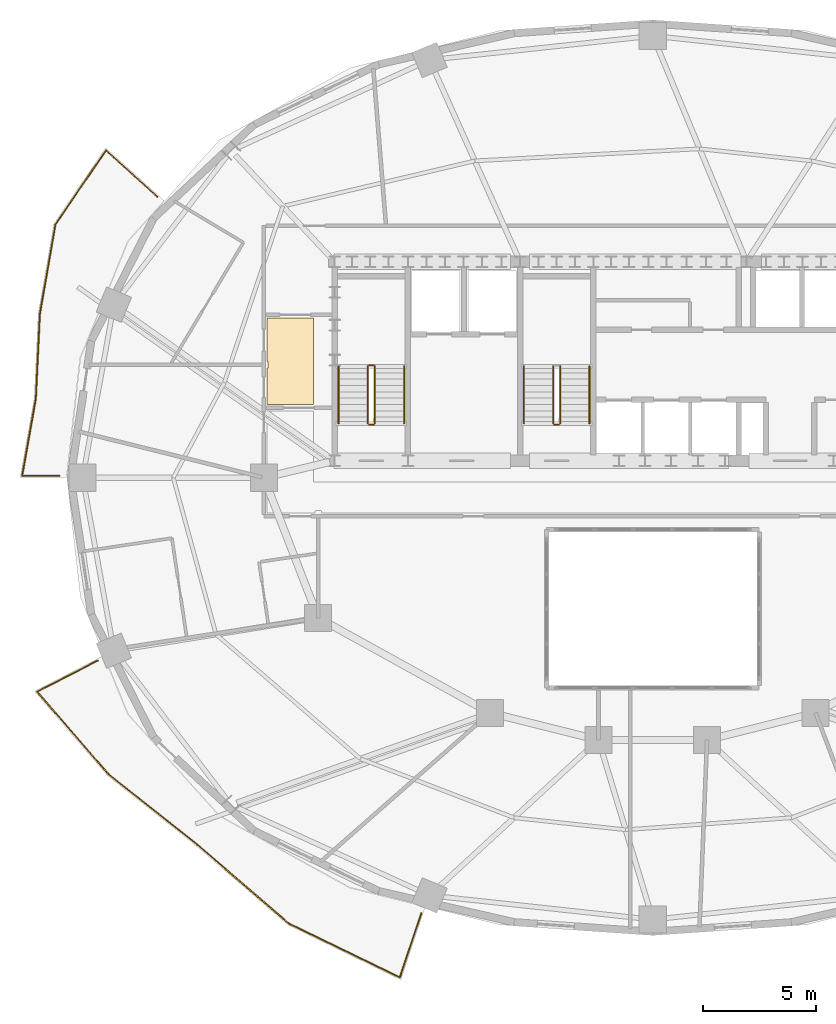
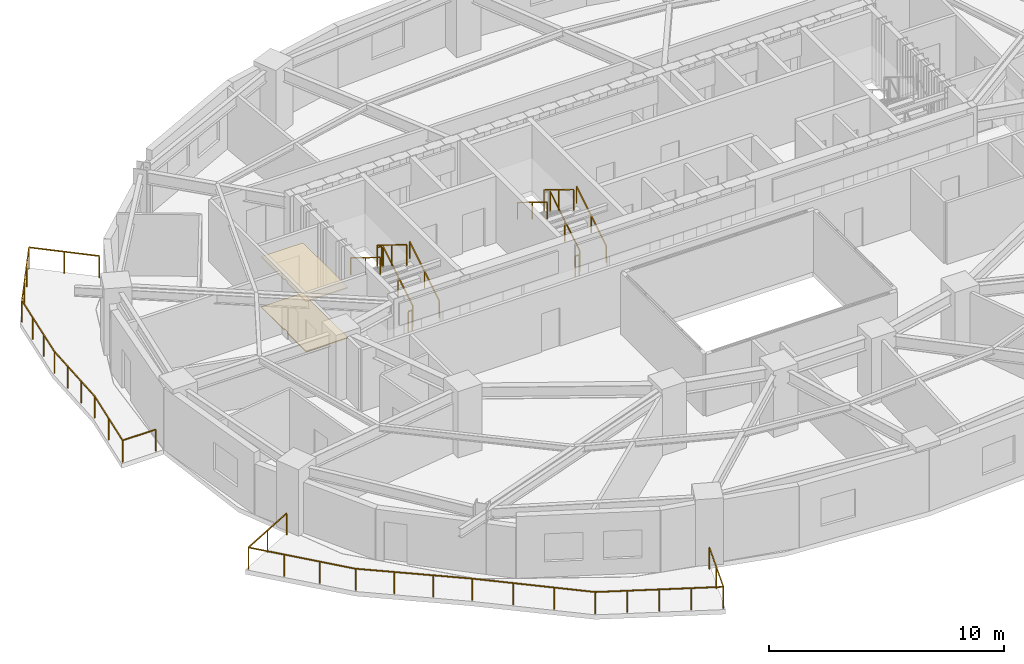
# One storey, part 10 of 12: 13 railings, 2 coverings.
"""IFC4 building model written with IfcOpenShell, lengths in metres."""

from ifc_helpers import new_model, si_unit, direction, frame, origin, origin_2d, place, context, subcontext, project, spatial, polyline, rectangle, outline, extrude, material, layer, layer_set, type_object, element, save


model = new_model("IFC4")

# Units and contexts
model_context = context("Model", 3, precision=1e-05, world=origin(), true_north=direction((0.0, 1.0)))
body_context = subcontext(model_context, "Body", "Model", "MODEL_VIEW")
ifc_project = project(units=[si_unit("LENGTHUNIT", "METRE"), si_unit("AREAUNIT", "SQUARE_METRE"), si_unit("VOLUMEUNIT", "CUBIC_METRE"), si_unit("PLANEANGLEUNIT", "RADIAN"), si_unit("MASSUNIT", "GRAM", prefix="KILO")], contexts=[model_context])

# Site, building, storey
site_placement = place(None, origin())
site = spatial("IfcSite", under=ifc_project, at=site_placement, CompositionType="ELEMENT")
building_placement = place(site_placement, origin())
building = spatial("IfcBuilding", under=site, at=building_placement, Name="Haldorwick Loom Tower", CompositionType="ELEMENT")
storey_placement = place(building_placement, frame((0.0, 0.0, 157.89990234375)))
storey = spatial("IfcBuildingStorey", under=building, at=storey_placement, Name="L42", CompositionType="ELEMENT", Elevation=157.89990234375)

# Coverings
ifc_material_1 = material(Name="Mineral Fibre Acoustic Ceiling Tile")
ifc_layer_1 = layer(ifc_material_1, 0.054931640625, Name="Mineral Fibre Acoustic Ceiling Tile")
ifc_layer_set_1 = layer_set([ifc_layer_1], Name="Mineral Fibre Acoustic Ceiling Tile")
covering_type_1 = type_object("IfcCoveringType", Name="ARC-COV-CEIL2", PredefinedType="CEILING", material=ifc_layer_set_1)
covering_1_placement = place(storey_placement, frame((0.0, 0.0, 2.59521484375)))
element("IfcCovering", 1, at=covering_1_placement, inside=storey, type_object=covering_type_1, Name="L42 Acoustic Suspended Ceiling 2", PredefinedType="CEILING", context=body_context, shape_type="SweptSolid", body=[
    extrude(outline(polyline([(18.969970703125, 31.139892578125), (18.971923828125, 31.139892578125), (18.973876953125, 31.1396484375), (18.975830078125, 31.13916015625), (18.977783203125, 31.138427734375), (18.9794921875, 31.1376953125), (18.981201171875, 31.13671875), (18.982666015625, 31.135498046875), (18.984130859375, 31.134033203125), (18.985595703125, 31.1328125), (18.986572265625, 31.131103515625), (18.987548828125, 31.12939453125), (18.988525390625, 31.127685546875), (18.989013671875, 31.125732421875), (18.989501953125, 31.123779296875), (18.989990234375, 31.1220703125), (18.989990234375, 31.1201171875), (18.989990234375, 30.8798828125), (18.989990234375, 30.8779296875), (18.989501953125, 30.876220703125), (18.989013671875, 30.874267578125), (18.988525390625, 30.872314453125), (18.987548828125, 30.87060546875), (18.986572265625, 30.868896484375), (18.985595703125, 30.8671875), (18.984130859375, 30.865966796875), (18.982666015625, 30.864501953125), (18.981201171875, 30.86328125), (18.9794921875, 30.8623046875), (18.977783203125, 30.861572265625), (18.975830078125, 30.86083984375), (18.973876953125, 30.8603515625), (18.971923828125, 30.860107421875), (18.969970703125, 30.860107421875), (18.93994140625, 30.860107421875), (18.93994140625, 29.239990234375), (21.0, 29.239990234375), (21.0, 33.06005859375), (18.93994140625, 33.06005859375), (18.93994140625, 31.139892578125), (18.969970703125, 31.139892578125)])), origin(), (0.0, 0.0, 1.0), 0.054931640625),
])
ifc_material_2 = material(Name="Polished Aggregate Terrazzo Finish")
ifc_layer_2 = layer(ifc_material_2, 0.044921875, Name="Polished Aggregate Terrazzo Finish")
ifc_layer_set_2 = layer_set([ifc_layer_2], Name="Polished Aggregate Terrazzo Finish")
covering_type_2 = type_object("IfcCoveringType", Name="ARC-COV-FLOOR2", PredefinedType="FLOORING", material=ifc_layer_set_2)
covering_2_placement = place(storey_placement, origin())
element("IfcCovering", 2, at=covering_2_placement, inside=storey, type_object=covering_type_2, Name="L42 Floor Finish 2", PredefinedType="FLOORING", context=body_context, shape_type="SweptSolid", body=[
    extrude(outline(polyline([(18.969970703125, 31.139892578125), (18.971923828125, 31.139892578125), (18.973876953125, 31.1396484375), (18.975830078125, 31.13916015625), (18.977783203125, 31.138427734375), (18.9794921875, 31.1376953125), (18.981201171875, 31.13671875), (18.982666015625, 31.135498046875), (18.984130859375, 31.134033203125), (18.985595703125, 31.1328125), (18.986572265625, 31.131103515625), (18.987548828125, 31.12939453125), (18.988525390625, 31.127685546875), (18.989013671875, 31.125732421875), (18.989501953125, 31.123779296875), (18.989990234375, 31.1220703125), (18.989990234375, 31.1201171875), (18.989990234375, 30.8798828125), (18.989990234375, 30.8779296875), (18.989501953125, 30.876220703125), (18.989013671875, 30.874267578125), (18.988525390625, 30.872314453125), (18.987548828125, 30.87060546875), (18.986572265625, 30.868896484375), (18.985595703125, 30.8671875), (18.984130859375, 30.865966796875), (18.982666015625, 30.864501953125), (18.981201171875, 30.86328125), (18.9794921875, 30.8623046875), (18.977783203125, 30.861572265625), (18.975830078125, 30.86083984375), (18.973876953125, 30.8603515625), (18.971923828125, 30.860107421875), (18.969970703125, 30.860107421875), (18.93994140625, 30.860107421875), (18.93994140625, 29.239990234375), (21.0, 29.239990234375), (21.0, 33.06005859375), (18.93994140625, 33.06005859375), (18.93994140625, 31.139892578125), (18.969970703125, 31.139892578125)])), origin(), (0.0, 0.0, 1.0), 0.045166015625),
])

# Railings
ifc_material_3 = material(Name="Galvanized Steel CSA G40.21 350W", Category="steel")
railing_type_1 = type_object("IfcRailingType", Name="ARC-RLG-BAL115", PredefinedType="BALUSTRADE", material=ifc_material_3)
railing_1_placement = place(storey_placement, frame((25.756591796875, 6.728515625, 0.0)))
element("IfcRailing", 3, at=railing_1_placement, inside=storey, type_object=railing_type_1, Name="L42 Outdoor Terrace Guardrail SLB-L42-BAL_SW-1", PredefinedType="BALUSTRADE", context=body_context, shape_type="SweptSolid", body=[
    extrude(rectangle(XDim=0.048095703125, YDim=0.048095703125, at=origin_2d()), frame((0.0, 0.0, 1.1259765625), z_axis=(-0.316522037821, -0.948585156733, 0.0), x_axis=(0.948585156733, -0.316522037821, 0.0)), (0.0, 0.0, 1.0), 2.986572265625),
    extrude(rectangle(XDim=0.048095703125, YDim=0.048095703125, at=origin_2d()), frame((-0.9453125, -2.8330078125, 1.1259765625), z_axis=(-0.899116897768, 0.43770858359, 0.0), x_axis=(-0.43770858359, -0.899116897768, 0.0)), (0.0, 0.0, 1.0), 5.469970703125),
    extrude(rectangle(XDim=0.048095703125, YDim=0.048095703125, at=origin_2d()), frame((-5.863525390625, -0.438720703125, 1.1259765625), z_axis=(-0.757220744918, 0.653159049134, 0.0), x_axis=(-0.653159049134, -0.757220744918, 0.0)), (0.0, 0.0, 1.0), 5.32568359375),
    extrude(rectangle(XDim=0.048095703125, YDim=0.048095703125, at=origin_2d()), frame((-9.896240234375, 3.039794921875, 1.1259765625), z_axis=(-0.773957299203, 0.633237790257, 0.0), x_axis=(-0.633237790257, -0.773957299203, 0.0)), (0.0, 0.0, 1.0), 0.00341796875),
    extrude(rectangle(XDim=0.048095703125, YDim=0.048095703125, at=origin_2d()), frame((-9.89892578125, 3.0419921875, 1.1259765625), z_axis=(-0.783726636091, 0.621105916798, 0.0), x_axis=(-0.621105916798, -0.783726636091, 0.0)), (0.0, 0.0, 1.0), 5.01123046875),
    extrude(rectangle(XDim=0.048095703125, YDim=0.048095703125, at=origin_2d()), frame((-13.826416015625, 6.154541015625, 1.1259765625), z_axis=(-0.654367841929, 0.756176386466, 0.0), x_axis=(-0.756176386466, -0.654367841929, 0.0)), (0.0, 0.0, 1.0), 4.824951171875),
    extrude(rectangle(XDim=0.048095703125, YDim=0.048095703125, at=origin_2d()), frame((-16.983642578125, 9.802978515625, 1.1259765625), z_axis=(0.888510792564, 0.458855719695, 0.0), x_axis=(-0.458855719695, 0.888510792564, 0.0)), (0.0, 0.0, 1.0), 3.009765625),
    extrude(rectangle(XDim=0.0419921875, YDim=0.0419921875, at=origin_2d()), origin(), (0.0, 0.0, 1.0), 1.101806640625),
    extrude(rectangle(XDim=0.0419921875, YDim=0.0419921875, at=origin_2d()), frame((-0.47265625, -1.41650390625, 0.0)), (0.0, 0.0, 1.0), 1.101806640625),
    extrude(rectangle(XDim=0.0419921875, YDim=0.0419921875, at=origin_2d()), frame((-0.9453125, -2.8330078125, 0.0)), (0.0, 0.0, 1.0), 1.101806640625),
    extrude(rectangle(XDim=0.0419921875, YDim=0.0419921875, at=origin_2d()), frame((-2.1748046875, -2.234375, 0.0)), (0.0, 0.0, 1.0), 1.101806640625),
    extrude(rectangle(XDim=0.0419921875, YDim=0.0419921875, at=origin_2d()), frame((-3.404296875, -1.6357421875, 0.0)), (0.0, 0.0, 1.0), 1.101806640625),
    extrude(rectangle(XDim=0.0419921875, YDim=0.0419921875, at=origin_2d()), frame((-4.634033203125, -1.037353515625, 0.0)), (0.0, 0.0, 1.0), 1.101806640625),
    extrude(rectangle(XDim=0.0419921875, YDim=0.0419921875, at=origin_2d()), frame((-5.863525390625, -0.438720703125, 0.0)), (0.0, 0.0, 1.0), 1.101806640625),
    extrude(rectangle(XDim=0.0419921875, YDim=0.0419921875, at=origin_2d()), frame((-7.207763671875, 0.720703125, 0.0)), (0.0, 0.0, 1.0), 1.101806640625),
    extrude(rectangle(XDim=0.0419921875, YDim=0.0419921875, at=origin_2d()), frame((-8.552001953125, 1.88037109375, 0.0)), (0.0, 0.0, 1.0), 1.101806640625),
    extrude(rectangle(XDim=0.0419921875, YDim=0.0419921875, at=origin_2d()), frame((-9.896240234375, 3.039794921875, 0.0)), (0.0, 0.0, 1.0), 1.101806640625),
    extrude(rectangle(XDim=0.0419921875, YDim=0.0419921875, at=origin_2d()), frame((-11.2080078125, 4.07958984375, 0.0)), (0.0, 0.0, 1.0), 1.101806640625),
    extrude(rectangle(XDim=0.0419921875, YDim=0.0419921875, at=origin_2d()), frame((-12.517333984375, 5.116943359375, 0.0)), (0.0, 0.0, 1.0), 1.101806640625),
    extrude(rectangle(XDim=0.0419921875, YDim=0.0419921875, at=origin_2d()), frame((-13.826416015625, 6.154541015625, 0.0)), (0.0, 0.0, 1.0), 1.101806640625),
    extrude(rectangle(XDim=0.0419921875, YDim=0.0419921875, at=origin_2d()), frame((-14.87890625, 7.37060546875, 0.0)), (0.0, 0.0, 1.0), 1.101806640625),
    extrude(rectangle(XDim=0.0419921875, YDim=0.0419921875, at=origin_2d()), frame((-15.93115234375, 8.5869140625, 0.0)), (0.0, 0.0, 1.0), 1.101806640625),
    extrude(rectangle(XDim=0.0419921875, YDim=0.0419921875, at=origin_2d()), frame((-16.983642578125, 9.802978515625, 0.0)), (0.0, 0.0, 1.0), 1.101806640625),
    extrude(rectangle(XDim=0.0419921875, YDim=0.0419921875, at=origin_2d()), frame((-15.646484375, 10.49365234375, 0.0)), (0.0, 0.0, 1.0), 1.101806640625),
    extrude(rectangle(XDim=0.0419921875, YDim=0.0419921875, at=origin_2d()), frame((-14.309326171875, 11.18408203125, 0.0)), (0.0, 0.0, 1.0), 1.101806640625),
])
railing_2_placement = place(storey_placement, frame((9.73974609375, 26.080078125, 0.0)))
element("IfcRailing", 4, at=railing_2_placement, inside=storey, type_object=railing_type_1, Name="L42 Outdoor Terrace Guardrail SLB-L42-BAL_WNW-1", PredefinedType="BALUSTRADE", context=body_context, shape_type="SweptSolid", body=[
    extrude(rectangle(XDim=0.048095703125, YDim=0.048095703125, at=origin_2d()), frame((0.0, 0.0, 1.1259765625), z_axis=(-1.0, 0.0, 0.0), x_axis=(0.0, -1.0, 0.0)), (0.0, 0.0, 1.0), 1.633056640625),
    extrude(rectangle(XDim=0.048095703125, YDim=0.048095703125, at=origin_2d()), frame((-1.633056640625, 0.0, 1.1259765625), z_axis=(0.174402362104, 0.984674472144, 0.0), x_axis=(-0.984674472144, 0.174402362104, 0.0)), (0.0, 0.0, 1.0), 3.475830078125),
    extrude(rectangle(XDim=0.048095703125, YDim=0.048095703125, at=origin_2d()), frame((-1.02685546875, 3.422607421875, 1.1259765625), z_axis=(0.118212889785, 0.992988274195, 0.0), x_axis=(-0.992988274195, 0.118212889785, 0.0)), (0.0, 0.0, 1.0), 0.01025390625),
    extrude(rectangle(XDim=0.048095703125, YDim=0.048095703125, at=origin_2d()), frame((-1.025634765625, 3.432861328125, 1.1259765625), z_axis=(0.047350743594, 0.998878324463, 0.0), x_axis=(-0.998878324463, 0.047350743594, 0.0)), (0.0, 0.0, 1.0), 3.73291015625),
    extrude(rectangle(XDim=0.048095703125, YDim=0.048095703125, at=origin_2d()), frame((-0.848876953125, 7.16162109375, 1.1259765625), z_axis=(0.171625353709, 0.985162290166, 0.0), x_axis=(-0.985162290166, 0.171625353709, 0.0)), (0.0, 0.0, 1.0), 4.0244140625),
    extrude(rectangle(XDim=0.048095703125, YDim=0.048095703125, at=origin_2d()), frame((-0.158203125, 11.126220703125, 1.1259765625), z_axis=(0.563872418529, 0.825861910747, 0.0), x_axis=(-0.825861910747, 0.563872418529, 0.0)), (0.0, 0.0, 1.0), 3.95947265625),
    extrude(rectangle(XDim=0.048095703125, YDim=0.048095703125, at=origin_2d()), frame((2.074462890625, 14.396240234375, 1.1259765625), z_axis=(0.741530121313, -0.670919577286, 0.0), x_axis=(0.670919577286, 0.741530121313, 0.0)), (0.0, 0.0, 1.0), 3.06689453125),
    extrude(rectangle(XDim=0.0419921875, YDim=0.0419921875, at=origin_2d()), origin(), (0.0, 0.0, 1.0), 1.101806640625),
    extrude(rectangle(XDim=0.0419921875, YDim=0.0419921875, at=origin_2d()), frame((-1.633056640625, 0.0, 0.0)), (0.0, 0.0, 1.0), 1.101806640625),
    extrude(rectangle(XDim=0.0419921875, YDim=0.0419921875, at=origin_2d()), frame((-1.330078125, 1.71142578125, 0.0)), (0.0, 0.0, 1.0), 1.101806640625),
    extrude(rectangle(XDim=0.0419921875, YDim=0.0419921875, at=origin_2d()), frame((-1.02685546875, 3.422607421875, 0.0)), (0.0, 0.0, 1.0), 1.101806640625),
    extrude(rectangle(XDim=0.0419921875, YDim=0.0419921875, at=origin_2d()), frame((-0.966796875, 4.67578125, 0.0)), (0.0, 0.0, 1.0), 1.101806640625),
    extrude(rectangle(XDim=0.0419921875, YDim=0.0419921875, at=origin_2d()), frame((-0.90771484375, 5.918701171875, 0.0)), (0.0, 0.0, 1.0), 1.101806640625),
    extrude(rectangle(XDim=0.0419921875, YDim=0.0419921875, at=origin_2d()), frame((-0.848876953125, 7.16162109375, 0.0)), (0.0, 0.0, 1.0), 1.101806640625),
    extrude(rectangle(XDim=0.0419921875, YDim=0.0419921875, at=origin_2d()), frame((-0.61865234375, 8.483154296875, 0.0)), (0.0, 0.0, 1.0), 1.101806640625),
    extrude(rectangle(XDim=0.0419921875, YDim=0.0419921875, at=origin_2d()), frame((-0.388427734375, 9.8046875, 0.0)), (0.0, 0.0, 1.0), 1.101806640625),
    extrude(rectangle(XDim=0.0419921875, YDim=0.0419921875, at=origin_2d()), frame((-0.158203125, 11.126220703125, 0.0)), (0.0, 0.0, 1.0), 1.101806640625),
    extrude(rectangle(XDim=0.0419921875, YDim=0.0419921875, at=origin_2d()), frame((0.5859375, 12.21630859375, 0.0)), (0.0, 0.0, 1.0), 1.101806640625),
    extrude(rectangle(XDim=0.0419921875, YDim=0.0419921875, at=origin_2d()), frame((1.330322265625, 13.30615234375, 0.0)), (0.0, 0.0, 1.0), 1.101806640625),
    extrude(rectangle(XDim=0.0419921875, YDim=0.0419921875, at=origin_2d()), frame((2.074462890625, 14.396240234375, 0.0)), (0.0, 0.0, 1.0), 1.101806640625),
    extrude(rectangle(XDim=0.0419921875, YDim=0.0419921875, at=origin_2d()), frame((3.21142578125, 13.367431640625, 0.0)), (0.0, 0.0, 1.0), 1.101806640625),
    extrude(rectangle(XDim=0.0419921875, YDim=0.0419921875, at=origin_2d()), frame((4.3486328125, 12.338623046875, 0.0)), (0.0, 0.0, 1.0), 1.101806640625),
])
ifc_material_4 = material(Name="Steel CSA G40.21 350W", Category="steel")
railing_type_2 = type_object("IfcRailingType", Name="ARC-RLG-GUARD112", PredefinedType="GUARDRAIL", material=ifc_material_4)
railing_3_placement = place(storey_placement, frame((23.699951171875, 28.39990234375, 0.172607421875)))
element("IfcRailing", 5, at=railing_3_placement, inside=storey, type_object=railing_type_2, Name="L42 ST-01 stair guard 1", PredefinedType="GUARDRAIL", context=body_context, shape_type="SweptSolid", body=[
    extrude(rectangle(XDim=0.048095703125, YDim=0.048095703125, at=origin_2d()), frame((0.0, 0.0, 1.076171875), z_axis=(0.0, 0.851400495292, 0.524516154772), x_axis=(-1.0, 0.0, 0.0)), (0.0, 0.0, 1.0), 2.9599609375),
    extrude(rectangle(XDim=0.0419921875, YDim=0.0419921875, at=origin_2d()), origin(), (0.0, 0.0, 1.0), 1.052001953125),
    extrude(rectangle(XDim=0.0419921875, YDim=0.0419921875, at=origin_2d()), frame((0.0, 1.260009765625, 0.7763671875)), (0.0, 0.0, 1.0), 1.052001953125),
    extrude(rectangle(XDim=0.0419921875, YDim=0.0419921875, at=origin_2d()), frame((0.0, 2.52001953125, 1.552490234375)), (0.0, 0.0, 1.0), 1.052001953125),
])
railing_4_placement = place(storey_placement, frame((23.64990234375, 30.969970703125, 1.72509765625)))
element("IfcRailing", 6, at=railing_4_placement, inside=storey, type_object=railing_type_2, Name="L42 ST-01 stair guard 2", PredefinedType="GUARDRAIL", context=body_context, shape_type="SweptSolid", body=[
    extrude(rectangle(XDim=0.048095703125, YDim=0.048095703125, at=origin_2d()), frame((0.0, 0.0, 1.076171875), z_axis=(-1.0, 0.0, 0.0), x_axis=(0.0, -1.0, 0.0)), (0.0, 0.0, 1.0), 0.199951171875),
    extrude(rectangle(XDim=0.0419921875, YDim=0.0419921875, at=origin_2d()), origin(), (0.0, 0.0, 1.0), 1.052001953125),
    extrude(rectangle(XDim=0.0419921875, YDim=0.0419921875, at=origin_2d()), frame((-0.199951171875, 0.0, 0.0)), (0.0, 0.0, 1.0), 1.052001953125),
])
railing_5_placement = place(storey_placement, frame((23.39990234375, 30.919921875, 1.897705078125)))
element("IfcRailing", 7, at=railing_5_placement, inside=storey, type_object=railing_type_2, Name="L42 ST-01 stair guard 3", PredefinedType="GUARDRAIL", context=body_context, shape_type="SweptSolid", body=[
    extrude(rectangle(XDim=0.048095703125, YDim=0.048095703125, at=origin_2d()), frame((0.0, 0.0, 1.076171875), z_axis=(0.0, -0.851400495292, 0.524516154772), x_axis=(1.0, 0.0, 0.0)), (0.0, 0.0, 1.0), 2.9599609375),
    extrude(rectangle(XDim=0.0419921875, YDim=0.0419921875, at=origin_2d()), origin(), (0.0, 0.0, 1.0), 1.052001953125),
    extrude(rectangle(XDim=0.0419921875, YDim=0.0419921875, at=origin_2d()), frame((0.0, -1.260009765625, 0.7763671875)), (0.0, 0.0, 1.0), 1.052001953125),
    extrude(rectangle(XDim=0.0419921875, YDim=0.0419921875, at=origin_2d()), frame((0.0, -2.52001953125, 1.552490234375)), (0.0, 0.0, 1.0), 1.052001953125),
])
railing_6_placement = place(storey_placement, frame((23.64990234375, 28.35009765625, 0.0)))
element("IfcRailing", 8, at=railing_6_placement, inside=storey, type_object=railing_type_2, Name="L42 ST-01 stair guard 4", PredefinedType="GUARDRAIL", context=body_context, shape_type="SweptSolid", body=[
    extrude(rectangle(XDim=0.048095703125, YDim=0.048095703125, at=origin_2d()), frame((0.0, 0.0, 1.076171875), z_axis=(-1.0, 0.0, 0.0), x_axis=(0.0, -1.0, 0.0)), (0.0, 0.0, 1.0), 0.199951171875),
    extrude(rectangle(XDim=0.0419921875, YDim=0.0419921875, at=origin_2d()), origin(), (0.0, 0.0, 1.0), 1.052001953125),
    extrude(rectangle(XDim=0.0419921875, YDim=0.0419921875, at=origin_2d()), frame((-0.199951171875, 0.0, 0.0)), (0.0, 0.0, 1.0), 1.052001953125),
])
railing_7_placement = place(storey_placement, frame((31.89990234375, 28.39990234375, 0.172607421875)))
element("IfcRailing", 9, at=railing_7_placement, inside=storey, type_object=railing_type_2, Name="L42 ST-03 stair guard 1", PredefinedType="GUARDRAIL", context=body_context, shape_type="SweptSolid", body=[
    extrude(rectangle(XDim=0.048095703125, YDim=0.048095703125, at=origin_2d()), frame((0.0, 0.0, 1.076171875), z_axis=(0.0, 0.851400495292, 0.524516154772), x_axis=(-1.0, 0.0, 0.0)), (0.0, 0.0, 1.0), 2.9599609375),
    extrude(rectangle(XDim=0.0419921875, YDim=0.0419921875, at=origin_2d()), origin(), (0.0, 0.0, 1.0), 1.052001953125),
    extrude(rectangle(XDim=0.0419921875, YDim=0.0419921875, at=origin_2d()), frame((0.0, 1.260009765625, 0.7763671875)), (0.0, 0.0, 1.0), 1.052001953125),
    extrude(rectangle(XDim=0.0419921875, YDim=0.0419921875, at=origin_2d()), frame((0.0, 2.52001953125, 1.552490234375)), (0.0, 0.0, 1.0), 1.052001953125),
])
railing_8_placement = place(storey_placement, frame((31.60009765625, 30.919921875, 1.897705078125)))
element("IfcRailing", 10, at=railing_8_placement, inside=storey, type_object=railing_type_2, Name="L42 ST-03 stair guard 3", PredefinedType="GUARDRAIL", context=body_context, shape_type="SweptSolid", body=[
    extrude(rectangle(XDim=0.048095703125, YDim=0.048095703125, at=origin_2d()), frame((0.0, 0.0, 1.076171875), z_axis=(0.0, -0.851400495292, 0.524516154772), x_axis=(1.0, 0.0, 0.0)), (0.0, 0.0, 1.0), 2.9599609375),
    extrude(rectangle(XDim=0.0419921875, YDim=0.0419921875, at=origin_2d()), origin(), (0.0, 0.0, 1.0), 1.052001953125),
    extrude(rectangle(XDim=0.0419921875, YDim=0.0419921875, at=origin_2d()), frame((0.0, -1.260009765625, 0.7763671875)), (0.0, 0.0, 1.0), 1.052001953125),
    extrude(rectangle(XDim=0.0419921875, YDim=0.0419921875, at=origin_2d()), frame((0.0, -2.52001953125, 1.552490234375)), (0.0, 0.0, 1.0), 1.052001953125),
])
railing_9_placement = place(storey_placement, frame((31.85009765625, 28.35009765625, 0.0)))
element("IfcRailing", 11, at=railing_9_placement, inside=storey, type_object=railing_type_2, Name="L42 ST-03 stair guard 4", PredefinedType="GUARDRAIL", context=body_context, shape_type="SweptSolid", body=[
    extrude(rectangle(XDim=0.048095703125, YDim=0.048095703125, at=origin_2d()), frame((0.0, 0.0, 1.076171875), z_axis=(-1.0, 0.0, 0.0), x_axis=(0.0, -1.0, 0.0)), (0.0, 0.0, 1.0), 0.2001953125),
    extrude(rectangle(XDim=0.0419921875, YDim=0.0419921875, at=origin_2d()), origin(), (0.0, 0.0, 1.0), 1.052001953125),
    extrude(rectangle(XDim=0.0419921875, YDim=0.0419921875, at=origin_2d()), frame((-0.2001953125, 0.0, 0.0)), (0.0, 0.0, 1.0), 1.052001953125),
])
railing_type_3 = type_object("IfcRailingType", Name="ARC-RLG-HAND092", PredefinedType="HANDRAIL", material=ifc_material_4)
railing_10_placement = place(storey_placement, frame((25.0, 28.39990234375, 0.172607421875)))
element("IfcRailing", 12, at=railing_10_placement, inside=storey, type_object=railing_type_3, Name="L42 ST-01 stair handrail 1", PredefinedType="HANDRAIL", context=body_context, shape_type="SweptSolid", body=[
    extrude(rectangle(XDim=0.048095703125, YDim=0.048095703125, at=origin_2d()), frame((0.0, 0.0, 0.8759765625), z_axis=(0.0, 0.851400495292, 0.524516154772), x_axis=(-1.0, 0.0, 0.0)), (0.0, 0.0, 1.0), 2.9599609375),
    extrude(rectangle(XDim=0.0419921875, YDim=0.0419921875, at=origin_2d()), origin(), (0.0, 0.0, 1.0), 0.851806640625),
    extrude(rectangle(XDim=0.0419921875, YDim=0.0419921875, at=origin_2d()), frame((0.0, 1.260009765625, 0.7763671875)), (0.0, 0.0, 1.0), 0.851806640625),
    extrude(rectangle(XDim=0.0419921875, YDim=0.0419921875, at=origin_2d()), frame((0.0, 2.52001953125, 1.552490234375)), (0.0, 0.0, 1.0), 0.851806640625),
])
railing_11_placement = place(storey_placement, frame((22.10009765625, 30.919921875, 1.897705078125)))
element("IfcRailing", 13, at=railing_11_placement, inside=storey, type_object=railing_type_3, Name="L42 ST-01 stair handrail 2", PredefinedType="HANDRAIL", context=body_context, shape_type="SweptSolid", body=[
    extrude(rectangle(XDim=0.048095703125, YDim=0.048095703125, at=origin_2d()), frame((0.0, 0.0, 0.8759765625), z_axis=(0.0, -0.851400495292, 0.524516154772), x_axis=(1.0, 0.0, 0.0)), (0.0, 0.0, 1.0), 2.9599609375),
    extrude(rectangle(XDim=0.0419921875, YDim=0.0419921875, at=origin_2d()), origin(), (0.0, 0.0, 1.0), 0.851806640625),
    extrude(rectangle(XDim=0.0419921875, YDim=0.0419921875, at=origin_2d()), frame((0.0, -1.260009765625, 0.7763671875)), (0.0, 0.0, 1.0), 0.851806640625),
    extrude(rectangle(XDim=0.0419921875, YDim=0.0419921875, at=origin_2d()), frame((0.0, -2.52001953125, 1.552490234375)), (0.0, 0.0, 1.0), 0.851806640625),
])
railing_12_placement = place(storey_placement, frame((33.199951171875, 28.39990234375, 0.172607421875)))
element("IfcRailing", 14, at=railing_12_placement, inside=storey, type_object=railing_type_3, Name="L42 ST-03 stair handrail 1", PredefinedType="HANDRAIL", context=body_context, shape_type="SweptSolid", body=[
    extrude(rectangle(XDim=0.048095703125, YDim=0.048095703125, at=origin_2d()), frame((0.0, 0.0, 0.8759765625), z_axis=(0.0, 0.851400495292, 0.524516154772), x_axis=(-1.0, 0.0, 0.0)), (0.0, 0.0, 1.0), 2.9599609375),
    extrude(rectangle(XDim=0.0419921875, YDim=0.0419921875, at=origin_2d()), origin(), (0.0, 0.0, 1.0), 0.851806640625),
    extrude(rectangle(XDim=0.0419921875, YDim=0.0419921875, at=origin_2d()), frame((0.0, 1.260009765625, 0.7763671875)), (0.0, 0.0, 1.0), 0.851806640625),
    extrude(rectangle(XDim=0.0419921875, YDim=0.0419921875, at=origin_2d()), frame((0.0, 2.52001953125, 1.552490234375)), (0.0, 0.0, 1.0), 0.851806640625),
])
railing_13_placement = place(storey_placement, frame((30.300048828125, 30.919921875, 1.897705078125)))
element("IfcRailing", 15, at=railing_13_placement, inside=storey, type_object=railing_type_3, Name="L42 ST-03 stair handrail 2", PredefinedType="HANDRAIL", context=body_context, shape_type="SweptSolid", body=[
    extrude(rectangle(XDim=0.048095703125, YDim=0.048095703125, at=origin_2d()), frame((0.0, 0.0, 0.8759765625), z_axis=(0.0, -0.851400495292, 0.524516154772), x_axis=(1.0, 0.0, 0.0)), (0.0, 0.0, 1.0), 2.9599609375),
    extrude(rectangle(XDim=0.0419921875, YDim=0.0419921875, at=origin_2d()), origin(), (0.0, 0.0, 1.0), 0.851806640625),
    extrude(rectangle(XDim=0.0419921875, YDim=0.0419921875, at=origin_2d()), frame((0.0, -1.260009765625, 0.7763671875)), (0.0, 0.0, 1.0), 0.851806640625),
    extrude(rectangle(XDim=0.0419921875, YDim=0.0419921875, at=origin_2d()), frame((0.0, -2.52001953125, 1.552490234375)), (0.0, 0.0, 1.0), 0.851806640625),
])

save(model, "model.ifc")
